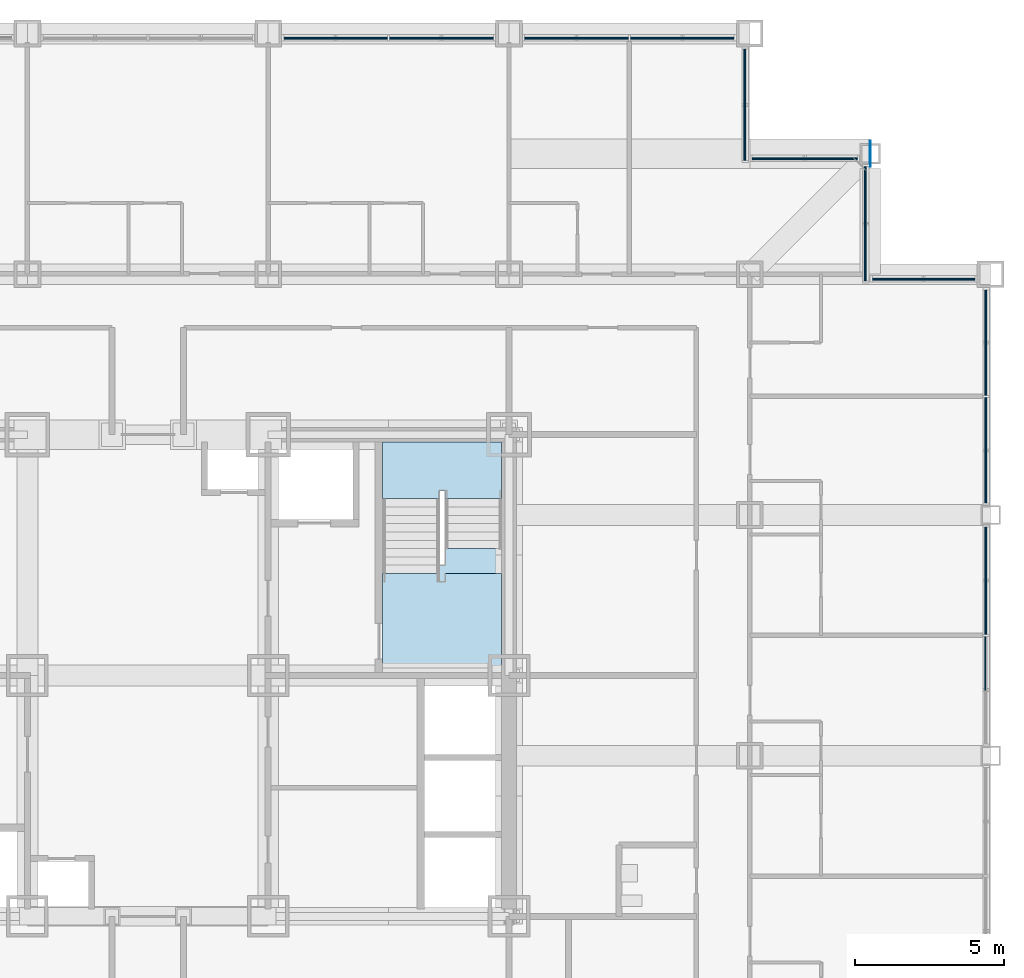
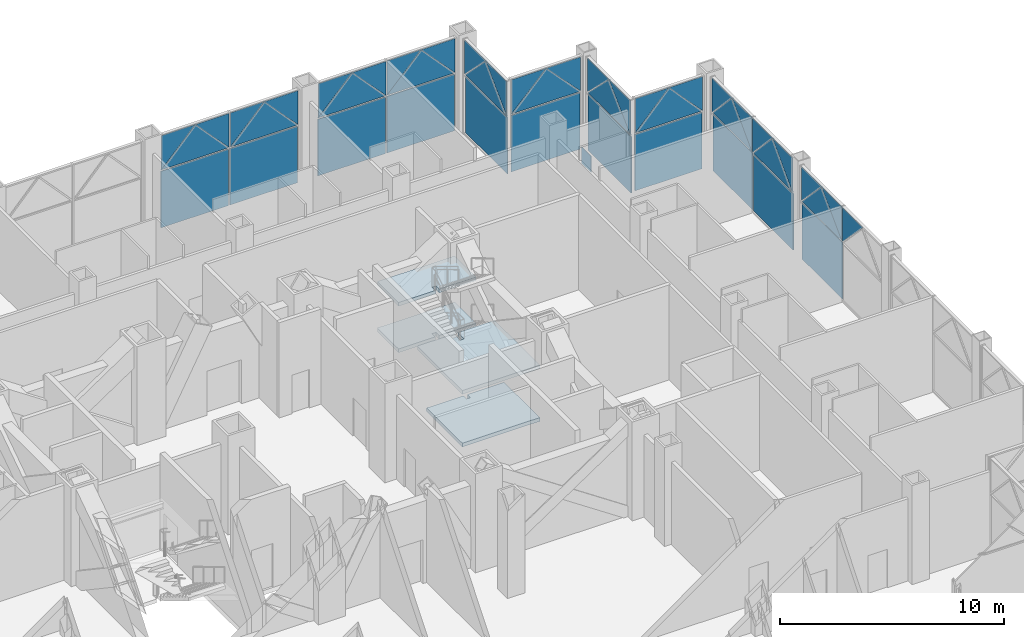
# One storey, part 14 of 26: 46 plates, 4 slabs, 9 elements without a shape of their own.
"""IFC4 building model written with IfcOpenShell, lengths in metres."""

import ifcopenshell
import ifcopenshell.guid

model = None  # the IFC model being written
_history = None  # IfcOwnerHistory: only IFC2X3 demands one
_inside = {}  # id of a spatial element -> (the spatial element, [elements in it])
_under = {}  # id of a project, library or spatial element -> (it, [spatial elements below it])
_declared = {}  # id of a project -> (the project, [libraries it declares])
_typed = {}  # id of a type object -> (the type object, [elements of that type])
_made_of = {}  # id of a material, layer set ... -> (it, [elements and type objects made of it])


def new_model(schema):
    """Start an empty IFC model of exactly this schema.

    Asked for "IFC4X3", IfcOpenShell would pick the latest addendum, in which some entities
    have other attributes; the version numbers below select the first issue.
    IFC2X3 requires an IfcOwnerHistory on every rooted entity: one is made here for all.
    """
    global model, _history
    if schema == "IFC4X3":
        model = ifcopenshell.file(schema_version=(4, 3, 0, 0))
    else:
        model = ifcopenshell.file(schema=schema)
    _inside.clear()
    _under.clear()
    _declared.clear()
    _typed.clear()
    _made_of.clear()
    _history = None
    if model.schema == "IFC2X3":
        org = make("IfcOrganization", Name="unknown")
        user = make(
            "IfcPersonAndOrganization",
            ThePerson=make("IfcPerson", FamilyName="unknown"),
            TheOrganization=org,
        )
        app = make(
            "IfcApplication",
            ApplicationDeveloper=org,
            Version="unknown",
            ApplicationFullName="unknown",
            ApplicationIdentifier="unknown",
        )
        _history = make(
            "IfcOwnerHistory",
            OwningUser=user,
            OwningApplication=app,
            ChangeAction="ADDED",
            CreationDate=0,
        )
    return model


def make(cls, **values):
    """One entity of the class cls with the attributes given. An attribute that is None is left unset."""
    return model.create_entity(
        cls, **{name: value for name, value in values.items() if value is not None}
    )


def rooted(cls, **values):
    """An entity with a GlobalId (a new one), such as an element, a storey or a relation."""
    return make(cls, GlobalId=ifcopenshell.guid.new(), OwnerHistory=_history, **values)


def si_unit(unit_type, name, prefix=None):
    """IfcSIUnit, for example si_unit("LENGTHUNIT", "METRE", prefix="MILLI")."""
    return make("IfcSIUnit", UnitType=unit_type, Prefix=prefix, Name=name)


def assignment(units):
    """IfcUnitAssignment: the units of a project."""
    return None if units is None else make("IfcUnitAssignment", Units=units)


def point(xyz):
    """IfcCartesianPoint."""
    return None if xyz is None else make("IfcCartesianPoint", Coordinates=xyz)


def direction(xyz):
    """IfcDirection."""
    return None if xyz is None else make("IfcDirection", DirectionRatios=xyz)


def frame(location, z_axis=None, x_axis=None):
    """IfcAxis2Placement3D, a coordinate frame: its origin and axes. An axis left out is left unset."""
    return make(
        "IfcAxis2Placement3D",
        Location=point(location),
        Axis=direction(z_axis),
        RefDirection=direction(x_axis),
    )


def frame_2d(location, x_axis=None):
    """IfcAxis2Placement2D, a coordinate frame in the plane: its origin and x axis."""
    return make(
        "IfcAxis2Placement2D", Location=point(location), RefDirection=direction(x_axis)
    )


def origin():
    """The frame at (0, 0, 0) with its axes left unset."""
    return frame((0.0, 0.0, 0.0))


def origin_2d():
    """The frame at (0, 0) in the plane with its x axis left unset."""
    return frame_2d((0.0, 0.0))


def place(relative_to, where):
    """IfcLocalPlacement: puts the frame where relative to a parent placement (None: the world)."""
    return make(
        "IfcLocalPlacement", PlacementRelTo=relative_to, RelativePlacement=where
    )


def context(
    kind, dimensions, precision=None, world=None, true_north=None, identifier=None
):
    """IfcGeometricRepresentationContext, for example the 3D "Model" context."""
    return make(
        "IfcGeometricRepresentationContext",
        ContextIdentifier=identifier,
        ContextType=kind,
        CoordinateSpaceDimension=dimensions,
        Precision=precision,
        WorldCoordinateSystem=world,
        TrueNorth=true_north,
    )


def subcontext(parent, identifier, kind, view, scale=None):
    """IfcGeometricRepresentationSubContext, for example "Body" below "Model"."""
    return make(
        "IfcGeometricRepresentationSubContext",
        ContextIdentifier=identifier,
        ContextType=kind,
        ParentContext=parent,
        TargetScale=scale,
        TargetView=view,
    )


def project(units=None, contexts=None):
    """IfcProject with its units and contexts."""
    return rooted(
        "IfcProject",
        Name="project",
        RepresentationContexts=contexts,
        UnitsInContext=assignment(units),
    )


def spatial(cls, under=None, at=None, **own):
    """A site, building, storey or space (cls), placed at a placement, below another one or the project."""
    s = rooted(cls, ObjectPlacement=at, **own)
    if under is not None:
        _under.setdefault(under.id(), (under, []))[1].append(s)
    return s


def polyline(points):
    """IfcPolyline through the points."""
    return make("IfcPolyline", Points=[point(p) for p in points])


def profile(cls, at=None, kind="AREA", **sizes):
    """A parametric profile (cls). Its sizes go by their IFC names, for example OverallWidth=200.0."""
    return make(cls, ProfileType=kind, Position=at, **sizes)


def rectangle(**sizes):
    """IfcRectangleProfileDef."""
    return profile("IfcRectangleProfileDef", **sizes)


def outline(outer, holes=None, kind="AREA"):
    """IfcArbitraryClosedProfileDef: a profile drawn as a closed curve; with holes, ...WithVoids."""
    if holes is None:
        return make("IfcArbitraryClosedProfileDef", ProfileType=kind, OuterCurve=outer)
    return make(
        "IfcArbitraryProfileDefWithVoids",
        ProfileType=kind,
        OuterCurve=outer,
        InnerCurves=holes,
    )


def extrude(swept, where, along, depth):
    """IfcExtrudedAreaSolid: the profile swept, set in the frame where, extruded along a direction by depth."""
    return make(
        "IfcExtrudedAreaSolid",
        SweptArea=swept,
        Position=where,
        ExtrudedDirection=direction(along),
        Depth=depth,
    )


def shape(context_of_items, identifier, shape_type, items):
    """IfcShapeRepresentation: the items that make up one representation, for example the "Body"."""
    return make(
        "IfcShapeRepresentation",
        ContextOfItems=context_of_items,
        RepresentationIdentifier=identifier,
        RepresentationType=shape_type,
        Items=items,
    )


def material(Name=None, Category=None):
    """IfcMaterial."""
    return make("IfcMaterial", Name=Name, Category=Category)


def layer(
    of_material, thickness, ventilated=None, Name=None, Category=None, Priority=None
):
    """IfcMaterialLayer: one layer of a wall or slab, of a material (None: an air gap)."""
    return make(
        "IfcMaterialLayer",
        Material=of_material,
        LayerThickness=thickness,
        IsVentilated=ventilated,
        Name=Name,
        Category=Category,
        Priority=Priority,
    )


def layer_set(layers, Name=None):
    """IfcMaterialLayerSet."""
    return make("IfcMaterialLayerSet", MaterialLayers=layers, LayerSetName=Name)


def made_of(thing, what):
    """Note that an element or type object is made of a material, layer set ...; save() writes the relation."""
    if what is not None:
        _made_of.setdefault(what.id(), (what, []))[1].append(thing)
    return thing


def type_object(cls, material=None, **own):
    """A type object (cls), such as IfcWallType, which elements share."""
    return made_of(rooted(cls, **own), material)


def element(
    cls,
    number,
    at=None,
    inside=None,
    cuts=None,
    type_object=None,
    material=None,
    context=None,
    identifier="Body",
    shape_type=None,
    held_by="IfcProductDefinitionShape",
    body=None,
    shapes=None,
    **own,
):
    """One element of the class cls, such as IfcWall. Its Tag is "e" and its number.

    at: its placement. inside: the storey or other place that contains it. cuts: it is an
    opening in that element (IfcRelVoidsElement). A single representation is given by context,
    identifier, shape_type and body (its items); several are given by shapes. held_by: the class
    of the entity that holds the representations. save() writes the other relations.
    """
    e = rooted(cls, Tag="e%d" % number, ObjectPlacement=at, **own)
    if body is not None:
        shapes = [shape(context, identifier, shape_type, body)]
    if shapes is not None:
        e.Representation = make(held_by, Representations=shapes)
    if inside is not None:
        _inside.setdefault(inside.id(), (inside, []))[1].append(e)
    if cuts is not None:
        rooted(
            "IfcRelVoidsElement", RelatingBuildingElement=cuts, RelatedOpeningElement=e
        )
    if type_object is not None:
        _typed.setdefault(type_object.id(), (type_object, []))[1].append(e)
    return made_of(e, material)


def aggregate(whole, parts):
    """IfcRelAggregates: a whole, such as a stair, and the parts it consists of."""
    return rooted("IfcRelAggregates", RelatingObject=whole, RelatedObjects=parts)


def save(model, path):
    """Write the relations noted so far, then the file.

    IfcRelAggregates (storeys below a building ...), IfcRelContainedInSpatialStructure (elements
    in a storey), IfcRelDefinesByType, IfcRelAssociatesMaterial and IfcRelDeclares: one each for
    every whole, place, type object, material and project.
    """
    for whole, parts in _under.values():
        aggregate(whole, parts)
    for where, things in _inside.values():
        rooted(
            "IfcRelContainedInSpatialStructure",
            RelatedElements=things,
            RelatingStructure=where,
        )
    for kind, things in _typed.values():
        rooted("IfcRelDefinesByType", RelatedObjects=things, RelatingType=kind)
    for what, things in _made_of.values():
        rooted("IfcRelAssociatesMaterial", RelatedObjects=things, RelatingMaterial=what)
    for by, libraries in _declared.values():
        rooted("IfcRelDeclares", RelatingContext=by, RelatedDefinitions=libraries)
    model.write(path)


model = new_model("IFC4")

# Units and contexts
model_context = context("Model", 3, precision=1e-05, world=origin(), true_north=direction((0.0, 1.0)))
body_context = subcontext(model_context, "Body", "Model", "MODEL_VIEW")
ifc_project = project(units=[si_unit("LENGTHUNIT", "METRE"), si_unit("AREAUNIT", "SQUARE_METRE"), si_unit("VOLUMEUNIT", "CUBIC_METRE"), si_unit("PLANEANGLEUNIT", "RADIAN"), si_unit("MASSUNIT", "GRAM", prefix="KILO")], contexts=[model_context])

# Site, building, storey
site_placement = place(None, origin())
site = spatial("IfcSite", under=ifc_project, at=site_placement, CompositionType="ELEMENT")
building_placement = place(site_placement, origin())
building = spatial("IfcBuilding", under=site, at=building_placement, Name="Kopane Lantern Tower", CompositionType="ELEMENT")
storey_placement = place(building_placement, frame((0.0, 0.0, 98.0)))
storey = spatial("IfcBuildingStorey", under=building, at=storey_placement, Name="L24", CompositionType="ELEMENT", Elevation=98.0)

# Curtain wall, plates
ifc_material_1 = material(Name="Aluminium and clear glass", Category="aluminium")
curtain_wall_type = type_object("IfcCurtainWallType", Name="CURTAIN WALL CW3 SKY LOBBY", PredefinedType="USERDEFINED", material=ifc_material_1)
curtain_wall_1_placement = place(storey_placement, origin())
curtain_wall_1 = element("IfcCurtainWall", 1, at=curtain_wall_1_placement, inside=storey, type_object=curtain_wall_type, Name="Curtain wall CW3 E L24", ObjectType="CURTAIN WALL", PredefinedType="USERDEFINED")
ifc_material_2 = material(Name="Insulated clear glass unit", Category="glass")
ifc_layer_1 = layer(ifc_material_2, 0.033935546875)
ifc_layer_set_1 = layer_set([ifc_layer_1], Name="CURTAIN PANEL CW3-P 34")
plate_type_1 = type_object("IfcPlateType", Name="CURTAIN PANEL CW3-P 34", PredefinedType="CURTAIN_PANEL", material=ifc_layer_set_1)
plate_1_placement = place(storey_placement, frame((56.550048828125, 35.592529296875, 0.070068359375), z_axis=(0.0, 0.0, 1.0), x_axis=(0.0, 1.0, 0.0)))
plate_1 = element("IfcPlate", 2, at=plate_1_placement, type_object=plate_type_1, Name="CW3 panel 2.1", PredefinedType="CURTAIN_PANEL", context=body_context, shape_type="SweptSolid", body=[
    extrude(rectangle(XDim=3.614990234375, YDim=0.033935546875, at=origin_2d()), origin(), (0.0, 0.0, 1.0), 3.0849609375),
])
plate_2_placement = place(storey_placement, frame((56.513916015625, 33.715087890625, 5.1201171875), z_axis=(0.0, 0.0, 1.0), x_axis=(0.0, -1.0, 0.0)))
plate_2 = element("IfcPlate", 3, at=plate_2_placement, type_object=plate_type_1, Name="CW3 spandrel panel 1R", PredefinedType="CURTAIN_PANEL", context=body_context, shape_type="SweptSolid", body=[
    extrude(outline(polyline([(0.0, 0.0), (1.8076171875, 0.0), (1.8076171875, -0.001220703125), (0.0, -1.846923828125), (0.0, 0.0)])), frame((0.0, 0.01708984375, 0.0), z_axis=(0.0, -1.0, 0.0), x_axis=(1.0, 0.0, 0.0)), (0.0, 0.0, 1.0), 0.033935546875),
])
plate_3_placement = place(storey_placement, frame((56.550048828125, 33.784912109375, 3.22509765625), z_axis=(0.0, 0.0, 1.0), x_axis=(0.0, 1.0, 0.0)))
plate_3 = element("IfcPlate", 4, at=plate_3_placement, type_object=plate_type_1, Name="CW3 lancet panel 2", PredefinedType="CURTAIN_PANEL", context=body_context, shape_type="SweptSolid", body=[
    extrude(outline(polyline([(0.0, 0.0), (3.614990234375, 0.0), (3.614990234375, 0.0009765625), (1.8076171875, 1.89990234375), (0.0, 0.0009765625), (0.0, 0.0)])), frame((0.0, 0.01708984375, 0.0), z_axis=(0.0, -1.0, 0.0), x_axis=(1.0, 0.0, 0.0)), (0.0, 0.0, 1.0), 0.033935546875),
])
plate_4_placement = place(storey_placement, frame((56.513916015625, 33.784912109375, 5.1201171875), z_axis=(0.0, 0.0, 1.0), x_axis=(0.0, 1.0, 0.0)))
plate_4 = element("IfcPlate", 5, at=plate_4_placement, type_object=plate_type_1, Name="CW3 spandrel panel 2L", PredefinedType="CURTAIN_PANEL", context=body_context, shape_type="SweptSolid", body=[
    extrude(outline(polyline([(0.0, 0.0), (1.8076171875, 0.0), (1.8076171875, -0.001220703125), (0.0, -1.846923828125), (0.0, 0.0)])), frame((0.0, 0.01708984375, 0.0), z_axis=(0.0, -1.0, 0.0), x_axis=(1.0, 0.0, 0.0)), (0.0, 0.0, 1.0), 0.033935546875),
])
plate_5_placement = place(storey_placement, frame((56.513916015625, 37.39990234375, 5.1201171875), z_axis=(0.0, 0.0, 1.0), x_axis=(0.0, -1.0, 0.0)))
plate_5 = element("IfcPlate", 6, at=plate_5_placement, type_object=plate_type_1, Name="CW3 spandrel panel 2R", PredefinedType="CURTAIN_PANEL", context=body_context, shape_type="SweptSolid", body=[
    extrude(outline(polyline([(0.0, 0.0), (1.807373046875, 0.0), (1.8076171875, -0.001220703125), (0.0, -1.846923828125), (0.0, 0.0)])), frame((0.0, 0.01708984375, 0.0), z_axis=(0.0, -1.0, 0.0), x_axis=(1.0, 0.0, 0.0)), (0.0, 0.0, 1.0), 0.033935546875),
])
aggregate(curtain_wall_1, [plate_1, plate_2, plate_3, plate_4, plate_5])

curtain_wall_2_placement = place(storey_placement, origin())
curtain_wall_2 = element("IfcCurtainWall", 7, at=curtain_wall_2_placement, inside=storey, type_object=curtain_wall_type, Name="Curtain wall CW3 E L24", ObjectType="CURTAIN WALL", PredefinedType="USERDEFINED")
plate_6_placement = place(storey_placement, frame((56.550048828125, 39.976318359375, 0.070068359375), z_axis=(0.0, 0.0, 1.0), x_axis=(0.0, 1.0, 0.0)))
plate_6 = element("IfcPlate", 8, at=plate_6_placement, type_object=plate_type_1, Name="CW3 panel 1.1", PredefinedType="CURTAIN_PANEL", context=body_context, shape_type="SweptSolid", body=[
    extrude(rectangle(XDim=3.552490234375, YDim=0.033935546875, at=origin_2d()), origin(), (0.0, 0.0, 1.0), 3.0849609375),
])
plate_7_placement = place(storey_placement, frame((56.550048828125, 43.5986328125, 0.070068359375), z_axis=(0.0, 0.0, 1.0), x_axis=(0.0, 1.0, 0.0)))
plate_7 = element("IfcPlate", 9, at=plate_7_placement, type_object=plate_type_1, Name="CW3 panel 2.1", PredefinedType="CURTAIN_PANEL", context=body_context, shape_type="SweptSolid", body=[
    extrude(rectangle(XDim=3.552490234375, YDim=0.033935546875, at=origin_2d()), origin(), (0.0, 0.0, 1.0), 3.0849609375),
])
plate_8_placement = place(storey_placement, frame((56.550048828125, 38.199951171875, 3.22509765625), z_axis=(0.0, 0.0, 1.0), x_axis=(0.0, 1.0, 0.0)))
plate_8 = element("IfcPlate", 10, at=plate_8_placement, type_object=plate_type_1, Name="CW3 lancet panel 1", PredefinedType="CURTAIN_PANEL", context=body_context, shape_type="SweptSolid", body=[
    extrude(outline(polyline([(0.0, 0.0), (3.552490234375, 0.0), (3.552490234375, 0.0009765625), (1.776123046875, 1.90185546875), (0.0, 0.0009765625), (0.0, 0.0)])), frame((0.0, 0.01708984375, 0.0), z_axis=(0.0, -1.0, 0.0), x_axis=(1.0, 0.0, 0.0)), (0.0, 0.0, 1.0), 0.033935546875),
])
plate_9_placement = place(storey_placement, frame((56.513916015625, 38.199951171875, 5.1201171875), z_axis=(0.0, 0.0, 1.0), x_axis=(0.0, 1.0, 0.0)))
plate_9 = element("IfcPlate", 11, at=plate_9_placement, type_object=plate_type_1, Name="CW3 spandrel panel 1L", PredefinedType="CURTAIN_PANEL", context=body_context, shape_type="SweptSolid", body=[
    extrude(outline(polyline([(0.0, 0.0), (1.7763671875, 0.0), (1.776123046875, -0.001220703125), (0.0, -1.847412109375), (0.0, 0.0)])), frame((0.0, 0.01708984375, 0.0), z_axis=(0.0, -1.0, 0.0), x_axis=(1.0, 0.0, 0.0)), (0.0, 0.0, 1.0), 0.033935546875),
])
plate_10_placement = place(storey_placement, frame((56.513916015625, 41.75244140625, 5.1201171875), z_axis=(0.0, 0.0, 1.0), x_axis=(0.0, -1.0, 0.0)))
plate_10 = element("IfcPlate", 12, at=plate_10_placement, type_object=plate_type_1, Name="CW3 spandrel panel 1R", PredefinedType="CURTAIN_PANEL", context=body_context, shape_type="SweptSolid", body=[
    extrude(outline(polyline([(0.0, 0.0), (1.776123046875, 0.0), (1.776123046875, -0.001220703125), (0.0, -1.847412109375), (0.0, 0.0)])), frame((0.0, 0.01708984375, 0.0), z_axis=(0.0, -1.0, 0.0), x_axis=(1.0, 0.0, 0.0)), (0.0, 0.0, 1.0), 0.033935546875),
])
plate_11_placement = place(storey_placement, frame((56.550048828125, 41.822509765625, 3.22509765625), z_axis=(0.0, 0.0, 1.0), x_axis=(0.0, 1.0, 0.0)))
plate_11 = element("IfcPlate", 13, at=plate_11_placement, type_object=plate_type_1, Name="CW3 lancet panel 2", PredefinedType="CURTAIN_PANEL", context=body_context, shape_type="SweptSolid", body=[
    extrude(outline(polyline([(0.0, 0.0), (3.552490234375, 0.0), (3.552490234375, 0.0009765625), (1.776123046875, 1.90185546875), (0.0, 0.0009765625), (0.0, 0.0)])), frame((0.0, 0.01708984375, 0.0), z_axis=(0.0, -1.0, 0.0), x_axis=(1.0, 0.0, 0.0)), (0.0, 0.0, 1.0), 0.033935546875),
])
plate_12_placement = place(storey_placement, frame((56.513916015625, 41.822509765625, 5.1201171875), z_axis=(0.0, 0.0, 1.0), x_axis=(0.0, 1.0, 0.0)))
plate_12 = element("IfcPlate", 14, at=plate_12_placement, type_object=plate_type_1, Name="CW3 spandrel panel 2L", PredefinedType="CURTAIN_PANEL", context=body_context, shape_type="SweptSolid", body=[
    extrude(outline(polyline([(0.0, 0.0), (1.7763671875, 0.0), (1.776123046875, -0.001220703125), (0.0, -1.847412109375), (0.0, 0.0)])), frame((0.0, 0.01708984375, 0.0), z_axis=(0.0, -1.0, 0.0), x_axis=(1.0, 0.0, 0.0)), (0.0, 0.0, 1.0), 0.033935546875),
])
plate_13_placement = place(storey_placement, frame((56.513916015625, 45.375, 5.1201171875), z_axis=(0.0, 0.0, 1.0), x_axis=(0.0, -1.0, 0.0)))
plate_13 = element("IfcPlate", 15, at=plate_13_placement, type_object=plate_type_1, Name="CW3 spandrel panel 2R", PredefinedType="CURTAIN_PANEL", context=body_context, shape_type="SweptSolid", body=[
    extrude(outline(polyline([(0.0, 0.0), (1.776123046875, 0.0), (1.776123046875, -0.001220703125), (0.0, -1.847412109375), (0.0, 0.0)])), frame((0.0, 0.01708984375, 0.0), z_axis=(0.0, -1.0, 0.0), x_axis=(1.0, 0.0, 0.0)), (0.0, 0.0, 1.0), 0.033935546875),
])
aggregate(curtain_wall_2, [plate_6, plate_7, plate_8, plate_9, plate_10, plate_11, plate_12, plate_13])

curtain_wall_3_placement = place(storey_placement, origin())
curtain_wall_3 = element("IfcCurtainWall", 16, at=curtain_wall_3_placement, inside=storey, type_object=curtain_wall_type, Name="Curtain wall CW3 N L24", ObjectType="CURTAIN WALL", PredefinedType="USERDEFINED")
plate_14_placement = place(storey_placement, frame((54.447509765625, 45.75, 0.070068359375), z_axis=(0.0, 0.0, 1.0), x_axis=(-1.0, 0.0, 0.0)))
plate_14 = element("IfcPlate", 17, at=plate_14_placement, type_object=plate_type_1, Name="CW3 panel 1.1", PredefinedType="CURTAIN_PANEL", context=body_context, shape_type="SweptSolid", body=[
    extrude(rectangle(XDim=3.455078125, YDim=0.033935546875, at=origin_2d()), origin(), (0.0, 0.0, 1.0), 3.0849609375),
])
plate_15_placement = place(storey_placement, frame((56.175048828125, 45.75, 3.22509765625), z_axis=(0.0, 0.0, 1.0), x_axis=(-1.0, 0.0, 0.0)))
plate_15 = element("IfcPlate", 18, at=plate_15_placement, type_object=plate_type_1, Name="CW3 lancet panel 1", PredefinedType="CURTAIN_PANEL", context=body_context, shape_type="SweptSolid", body=[
    extrude(outline(polyline([(0.0, 0.0), (3.455078125, 0.0), (3.455078125, 0.0009765625), (1.7275390625, 1.905029296875), (0.0, 0.0009765625), (0.0, 0.0)])), frame((0.0, 0.01708984375, 0.0), z_axis=(0.0, -1.0, 0.0), x_axis=(1.0, 0.0, 0.0)), (0.0, 0.0, 1.0), 0.033935546875),
])
plate_16_placement = place(storey_placement, frame((56.175048828125, 45.714111328125, 5.1201171875), z_axis=(0.0, 0.0, 1.0), x_axis=(-1.0, 0.0, 0.0)))
plate_16 = element("IfcPlate", 19, at=plate_16_placement, type_object=plate_type_1, Name="CW3 spandrel panel 1L", PredefinedType="CURTAIN_PANEL", context=body_context, shape_type="SweptSolid", body=[
    extrude(outline(polyline([(0.0, 0.0), (1.7275390625, 0.0), (1.7275390625, -0.001220703125), (0.0, -1.84814453125), (0.0, 0.0)])), frame((0.0, 0.01708984375, 0.0), z_axis=(0.0, -1.0, 0.0), x_axis=(1.0, 0.0, 0.0)), (0.0, 0.0, 1.0), 0.033935546875),
])
plate_17_placement = place(storey_placement, frame((52.719970703125, 45.714111328125, 5.1201171875), z_axis=(0.0, 0.0, 1.0), x_axis=(1.0, 0.0, 0.0)))
plate_17 = element("IfcPlate", 20, at=plate_17_placement, type_object=plate_type_1, Name="CW3 spandrel panel 1R", PredefinedType="CURTAIN_PANEL", context=body_context, shape_type="SweptSolid", body=[
    extrude(outline(polyline([(0.0, 0.0), (1.7275390625, 0.0), (1.7275390625, -0.001220703125), (0.0, -1.84814453125), (0.0, 0.0)])), frame((0.0, 0.01708984375, 0.0), z_axis=(0.0, -1.0, 0.0), x_axis=(1.0, 0.0, 0.0)), (0.0, 0.0, 1.0), 0.033935546875),
])
aggregate(curtain_wall_3, [plate_14, plate_15, plate_16, plate_17])

curtain_wall_4_placement = place(storey_placement, origin())
curtain_wall_4 = element("IfcCurtainWall", 21, at=curtain_wall_4_placement, inside=storey, type_object=curtain_wall_type, Name="Curtain wall CW3 E L24", ObjectType="CURTAIN WALL", PredefinedType="USERDEFINED")
plate_18_placement = place(storey_placement, frame((52.5, 47.597412109375, 0.070068359375), z_axis=(0.0, 0.0, 1.0), x_axis=(0.0, 1.0, 0.0)))
plate_18 = element("IfcPlate", 22, at=plate_18_placement, type_object=plate_type_1, Name="CW3 panel 1.1", PredefinedType="CURTAIN_PANEL", context=body_context, shape_type="SweptSolid", body=[
    extrude(rectangle(XDim=3.85498046875, YDim=0.033935546875, at=origin_2d()), origin(), (0.0, 0.0, 1.0), 3.0849609375),
])
plate_19_placement = place(storey_placement, frame((52.5, 45.669921875, 3.22509765625), z_axis=(0.0, 0.0, 1.0), x_axis=(0.0, 1.0, 0.0)))
plate_19 = element("IfcPlate", 23, at=plate_19_placement, type_object=plate_type_1, Name="CW3 lancet panel 1", PredefinedType="CURTAIN_PANEL", context=body_context, shape_type="SweptSolid", body=[
    extrude(outline(polyline([(0.0, 0.0), (3.85498046875, 0.0), (3.85498046875, 0.0009765625), (1.927490234375, 1.89306640625), (0.0, 0.0009765625), (0.0, 0.0)])), frame((0.0, 0.01708984375, 0.0), z_axis=(0.0, -1.0, 0.0), x_axis=(1.0, 0.0, 0.0)), (0.0, 0.0, 1.0), 0.033935546875),
])
plate_20_placement = place(storey_placement, frame((52.464111328125, 45.669921875, 5.1201171875), z_axis=(0.0, 0.0, 1.0), x_axis=(0.0, 1.0, 0.0)))
plate_20 = element("IfcPlate", 24, at=plate_20_placement, type_object=plate_type_1, Name="CW3 spandrel panel 1L", PredefinedType="CURTAIN_PANEL", context=body_context, shape_type="SweptSolid", body=[
    extrude(outline(polyline([(0.0, 0.0), (1.927490234375, 0.0), (1.927490234375, -0.001220703125), (0.0, -1.84521484375), (0.0, 0.0)])), frame((0.0, 0.01708984375, 0.0), z_axis=(0.0, -1.0, 0.0), x_axis=(1.0, 0.0, 0.0)), (0.0, 0.0, 1.0), 0.033935546875),
])
plate_21_placement = place(storey_placement, frame((52.464111328125, 49.52490234375, 5.1201171875), z_axis=(0.0, 0.0, 1.0), x_axis=(0.0, -1.0, 0.0)))
plate_21 = element("IfcPlate", 25, at=plate_21_placement, type_object=plate_type_1, Name="CW3 spandrel panel 1R", PredefinedType="CURTAIN_PANEL", context=body_context, shape_type="SweptSolid", body=[
    extrude(outline(polyline([(0.0, 0.0), (1.927490234375, 0.0), (1.927490234375, -0.001220703125), (0.0, -1.84521484375), (0.0, 0.0)])), frame((0.0, 0.01708984375, 0.0), z_axis=(0.0, -1.0, 0.0), x_axis=(1.0, 0.0, 0.0)), (0.0, 0.0, 1.0), 0.033935546875),
])
aggregate(curtain_wall_4, [plate_18, plate_19, plate_20, plate_21])

curtain_wall_5_placement = place(storey_placement, origin())
curtain_wall_5 = element("IfcCurtainWall", 26, at=curtain_wall_5_placement, inside=storey, type_object=curtain_wall_type, Name="Curtain wall CW3 N L24", ObjectType="CURTAIN WALL", PredefinedType="USERDEFINED")
plate_22_placement = place(storey_placement, frame((50.447509765625, 49.800048828125, 0.070068359375), z_axis=(0.0, 0.0, 1.0), x_axis=(-1.0, 0.0, 0.0)))
plate_22 = element("IfcPlate", 27, at=plate_22_placement, type_object=plate_type_1, Name="CW3 panel 1.1", PredefinedType="CURTAIN_PANEL", context=body_context, shape_type="SweptSolid", body=[
    extrude(rectangle(XDim=3.554931640625, YDim=0.033935546875, at=origin_2d()), origin(), (0.0, 0.0, 1.0), 3.0849609375),
])
plate_23_placement = place(storey_placement, frame((52.22509765625, 49.800048828125, 3.22509765625), z_axis=(0.0, 0.0, 1.0), x_axis=(-1.0, 0.0, 0.0)))
plate_23 = element("IfcPlate", 28, at=plate_23_placement, type_object=plate_type_1, Name="CW3 lancet panel 1", PredefinedType="CURTAIN_PANEL", context=body_context, shape_type="SweptSolid", body=[
    extrude(outline(polyline([(0.0, 0.0), (3.55517578125, 0.0), (3.554931640625, 0.0009765625), (1.777587890625, 1.90185546875), (0.0, 0.0009765625), (0.0, 0.0)])), frame((0.0, 0.01708984375, 0.0), z_axis=(0.0, -1.0, 0.0), x_axis=(1.0, 0.0, 0.0)), (0.0, 0.0, 1.0), 0.033935546875),
])
plate_24_placement = place(storey_placement, frame((52.22509765625, 49.763916015625, 5.1201171875), z_axis=(0.0, 0.0, 1.0), x_axis=(-1.0, 0.0, 0.0)))
plate_24 = element("IfcPlate", 29, at=plate_24_placement, type_object=plate_type_1, Name="CW3 spandrel panel 1L", PredefinedType="CURTAIN_PANEL", context=body_context, shape_type="SweptSolid", body=[
    extrude(outline(polyline([(0.0, 0.0), (1.777587890625, 0.0), (1.777587890625, -0.001220703125), (0.0, -1.847412109375), (0.0, 0.0)])), frame((0.0, 0.01708984375, 0.0), z_axis=(0.0, -1.0, 0.0), x_axis=(1.0, 0.0, 0.0)), (0.0, 0.0, 1.0), 0.033935546875),
])
plate_25_placement = place(storey_placement, frame((48.669921875, 49.763916015625, 5.1201171875), z_axis=(0.0, 0.0, 1.0), x_axis=(1.0, 0.0, 0.0)))
plate_25 = element("IfcPlate", 30, at=plate_25_placement, type_object=plate_type_1, Name="CW3 spandrel panel 1R", PredefinedType="CURTAIN_PANEL", context=body_context, shape_type="SweptSolid", body=[
    extrude(outline(polyline([(0.0, 0.0), (1.777587890625, 0.0), (1.777587890625, -0.001220703125), (0.0, -1.847412109375), (0.0, 0.0)])), frame((0.0, 0.01708984375, 0.0), z_axis=(0.0, -1.0, 0.0), x_axis=(1.0, 0.0, 0.0)), (0.0, 0.0, 1.0), 0.033935546875),
])
aggregate(curtain_wall_5, [plate_22, plate_23, plate_24, plate_25])

curtain_wall_6_placement = place(storey_placement, origin())
curtain_wall_6 = element("IfcCurtainWall", 31, at=curtain_wall_6_placement, inside=storey, type_object=curtain_wall_type, Name="Curtain wall CW3 E L24", ObjectType="CURTAIN WALL", PredefinedType="USERDEFINED")
plate_26_placement = place(storey_placement, frame((48.449951171875, 51.597412109375, 0.070068359375), z_axis=(0.0, 0.0, 1.0), x_axis=(0.0, 1.0, 0.0)))
plate_26 = element("IfcPlate", 32, at=plate_26_placement, type_object=plate_type_1, Name="CW3 panel 1.1", PredefinedType="CURTAIN_PANEL", context=body_context, shape_type="SweptSolid", body=[
    extrude(rectangle(XDim=3.7548828125, YDim=0.033935546875, at=origin_2d()), origin(), (0.0, 0.0, 1.0), 3.0849609375),
])
plate_27_placement = place(storey_placement, frame((48.449951171875, 49.719970703125, 3.22509765625), z_axis=(0.0, 0.0, 1.0), x_axis=(0.0, 1.0, 0.0)))
plate_27 = element("IfcPlate", 33, at=plate_27_placement, type_object=plate_type_1, Name="CW3 lancet panel 1", PredefinedType="CURTAIN_PANEL", context=body_context, shape_type="SweptSolid", body=[
    extrude(outline(polyline([(0.0, 0.0), (3.755126953125, 0.0), (3.7548828125, 0.0009765625), (1.87744140625, 1.89599609375), (0.0, 0.0009765625), (0.0, 0.0)])), frame((0.0, 0.01708984375, 0.0), z_axis=(0.0, -1.0, 0.0), x_axis=(1.0, 0.0, 0.0)), (0.0, 0.0, 1.0), 0.033935546875),
])
plate_28_placement = place(storey_placement, frame((48.4140625, 49.719970703125, 5.1201171875), z_axis=(0.0, 0.0, 1.0), x_axis=(0.0, 1.0, 0.0)))
plate_28 = element("IfcPlate", 34, at=plate_28_placement, type_object=plate_type_1, Name="CW3 spandrel panel 1L", PredefinedType="CURTAIN_PANEL", context=body_context, shape_type="SweptSolid", body=[
    extrude(outline(polyline([(0.0, 0.0), (1.87744140625, 0.0), (1.87744140625, -0.001220703125), (0.0, -1.845703125), (0.0, 0.0)])), frame((0.0, 0.01708984375, 0.0), z_axis=(0.0, -1.0, 0.0), x_axis=(1.0, 0.0, 0.0)), (0.0, 0.0, 1.0), 0.033935546875),
])
plate_29_placement = place(storey_placement, frame((48.4140625, 53.47509765625, 5.1201171875), z_axis=(0.0, 0.0, 1.0), x_axis=(0.0, -1.0, 0.0)))
plate_29 = element("IfcPlate", 35, at=plate_29_placement, type_object=plate_type_1, Name="CW3 spandrel panel 1R", PredefinedType="CURTAIN_PANEL", context=body_context, shape_type="SweptSolid", body=[
    extrude(outline(polyline([(0.0, 0.0), (1.877685546875, 0.0), (1.87744140625, -0.001220703125), (0.0, -1.845703125), (0.0, 0.0)])), frame((0.0, 0.01708984375, 0.0), z_axis=(0.0, -1.0, 0.0), x_axis=(1.0, 0.0, 0.0)), (0.0, 0.0, 1.0), 0.033935546875),
])
aggregate(curtain_wall_6, [plate_26, plate_27, plate_28, plate_29])

curtain_wall_7_placement = place(storey_placement, origin())
curtain_wall_7 = element("IfcCurtainWall", 36, at=curtain_wall_7_placement, inside=storey, type_object=curtain_wall_type, Name="Curtain wall CW3 N L24", ObjectType="CURTAIN WALL", PredefinedType="USERDEFINED")
plate_30_placement = place(storey_placement, frame((46.330078125, 53.85009765625, 0.070068359375), z_axis=(0.0, 0.0, 1.0), x_axis=(-1.0, 0.0, 0.0)))
plate_30 = element("IfcPlate", 37, at=plate_30_placement, type_object=plate_type_1, Name="CW3 panel 1.1", PredefinedType="CURTAIN_PANEL", context=body_context, shape_type="SweptSolid", body=[
    extrude(rectangle(XDim=3.489990234375, YDim=0.033935546875, at=origin_2d()), origin(), (0.0, 0.0, 1.0), 3.0849609375),
])
plate_31_placement = place(storey_placement, frame((42.77001953125, 53.85009765625, 0.070068359375), z_axis=(0.0, 0.0, 1.0), x_axis=(-1.0, 0.0, 0.0)))
plate_31 = element("IfcPlate", 38, at=plate_31_placement, type_object=plate_type_1, Name="CW3 panel 2.1", PredefinedType="CURTAIN_PANEL", context=body_context, shape_type="SweptSolid", body=[
    extrude(rectangle(XDim=3.489990234375, YDim=0.033935546875, at=origin_2d()), origin(), (0.0, 0.0, 1.0), 3.0849609375),
])
plate_32_placement = place(storey_placement, frame((48.074951171875, 53.85009765625, 3.22509765625), z_axis=(0.0, 0.0, 1.0), x_axis=(-1.0, 0.0, 0.0)))
plate_32 = element("IfcPlate", 39, at=plate_32_placement, type_object=plate_type_1, Name="CW3 lancet panel 1", PredefinedType="CURTAIN_PANEL", context=body_context, shape_type="SweptSolid", body=[
    extrude(outline(polyline([(0.0, 0.0), (3.489990234375, 0.0), (3.489990234375, 0.0009765625), (1.7451171875, 1.90380859375), (0.0, 0.0009765625), (0.0, 0.0)])), frame((0.0, 0.01708984375, 0.0), z_axis=(0.0, -1.0, 0.0), x_axis=(1.0, 0.0, 0.0)), (0.0, 0.0, 1.0), 0.033935546875),
])
plate_33_placement = place(storey_placement, frame((48.074951171875, 53.81396484375, 5.1201171875), z_axis=(0.0, 0.0, 1.0), x_axis=(-1.0, 0.0, 0.0)))
plate_33 = element("IfcPlate", 40, at=plate_33_placement, type_object=plate_type_1, Name="CW3 spandrel panel 1L", PredefinedType="CURTAIN_PANEL", context=body_context, shape_type="SweptSolid", body=[
    extrude(outline(polyline([(0.0, 0.0), (1.744873046875, 0.0), (1.7451171875, -0.001220703125), (0.0, -1.847900390625), (0.0, 0.0)])), frame((0.0, 0.01708984375, 0.0), z_axis=(0.0, -1.0, 0.0), x_axis=(1.0, 0.0, 0.0)), (0.0, 0.0, 1.0), 0.033935546875),
])
plate_34_placement = place(storey_placement, frame((44.5849609375, 53.81396484375, 5.1201171875), z_axis=(0.0, 0.0, 1.0), x_axis=(1.0, 0.0, 0.0)))
plate_34 = element("IfcPlate", 41, at=plate_34_placement, type_object=plate_type_1, Name="CW3 spandrel panel 1R", PredefinedType="CURTAIN_PANEL", context=body_context, shape_type="SweptSolid", body=[
    extrude(outline(polyline([(0.0, 0.0), (1.7451171875, 0.0), (1.7451171875, -0.001220703125), (0.0, -1.847900390625), (0.0, 0.0)])), frame((0.0, 0.01708984375, 0.0), z_axis=(0.0, -1.0, 0.0), x_axis=(1.0, 0.0, 0.0)), (0.0, 0.0, 1.0), 0.033935546875),
])
plate_35_placement = place(storey_placement, frame((44.514892578125, 53.85009765625, 3.22509765625), z_axis=(0.0, 0.0, 1.0), x_axis=(-1.0, 0.0, 0.0)))
plate_35 = element("IfcPlate", 42, at=plate_35_placement, type_object=plate_type_1, Name="CW3 lancet panel 2", PredefinedType="CURTAIN_PANEL", context=body_context, shape_type="SweptSolid", body=[
    extrude(outline(polyline([(0.0, 0.0), (3.489990234375, 0.0), (3.489990234375, 0.0009765625), (1.7451171875, 1.90380859375), (0.0, 0.0009765625), (0.0, 0.0)])), frame((0.0, 0.01708984375, 0.0), z_axis=(0.0, -1.0, 0.0), x_axis=(1.0, 0.0, 0.0)), (0.0, 0.0, 1.0), 0.033935546875),
])
plate_36_placement = place(storey_placement, frame((44.514892578125, 53.81396484375, 5.1201171875), z_axis=(0.0, 0.0, 1.0), x_axis=(-1.0, 0.0, 0.0)))
plate_36 = element("IfcPlate", 43, at=plate_36_placement, type_object=plate_type_1, Name="CW3 spandrel panel 2L", PredefinedType="CURTAIN_PANEL", context=body_context, shape_type="SweptSolid", body=[
    extrude(outline(polyline([(0.0, 0.0), (1.744873046875, 0.0), (1.7451171875, -0.001220703125), (0.0, -1.847900390625), (0.0, 0.0)])), frame((0.0, 0.01708984375, 0.0), z_axis=(0.0, -1.0, 0.0), x_axis=(1.0, 0.0, 0.0)), (0.0, 0.0, 1.0), 0.033935546875),
])
plate_37_placement = place(storey_placement, frame((41.02490234375, 53.81396484375, 5.1201171875), z_axis=(0.0, 0.0, 1.0), x_axis=(1.0, 0.0, 0.0)))
plate_37 = element("IfcPlate", 44, at=plate_37_placement, type_object=plate_type_1, Name="CW3 spandrel panel 2R", PredefinedType="CURTAIN_PANEL", context=body_context, shape_type="SweptSolid", body=[
    extrude(outline(polyline([(0.0, 0.0), (1.7451171875, 0.0), (1.7451171875, -0.001220703125), (0.0, -1.847900390625), (0.0, 0.0)])), frame((0.0, 0.01708984375, 0.0), z_axis=(0.0, -1.0, 0.0), x_axis=(1.0, 0.0, 0.0)), (0.0, 0.0, 1.0), 0.033935546875),
])
aggregate(curtain_wall_7, [plate_30, plate_31, plate_32, plate_33, plate_34, plate_35, plate_36, plate_37])

curtain_wall_8_placement = place(storey_placement, origin())
curtain_wall_8 = element("IfcCurtainWall", 45, at=curtain_wall_8_placement, inside=storey, type_object=curtain_wall_type, Name="Curtain wall CW3 N L24", ObjectType="CURTAIN WALL", PredefinedType="USERDEFINED")
plate_38_placement = place(storey_placement, frame((38.22998046875, 53.85009765625, 0.070068359375), z_axis=(0.0, 0.0, 1.0), x_axis=(-1.0, 0.0, 0.0)))
plate_38 = element("IfcPlate", 46, at=plate_38_placement, type_object=plate_type_1, Name="CW3 panel 1.1", PredefinedType="CURTAIN_PANEL", context=body_context, shape_type="SweptSolid", body=[
    extrude(rectangle(XDim=3.489990234375, YDim=0.033935546875, at=origin_2d()), origin(), (0.0, 0.0, 1.0), 3.0849609375),
])
plate_39_placement = place(storey_placement, frame((34.669921875, 53.85009765625, 0.070068359375), z_axis=(0.0, 0.0, 1.0), x_axis=(-1.0, 0.0, 0.0)))
plate_39 = element("IfcPlate", 47, at=plate_39_placement, type_object=plate_type_1, Name="CW3 panel 2.1", PredefinedType="CURTAIN_PANEL", context=body_context, shape_type="SweptSolid", body=[
    extrude(rectangle(XDim=3.489990234375, YDim=0.033935546875, at=origin_2d()), origin(), (0.0, 0.0, 1.0), 3.0849609375),
])
plate_40_placement = place(storey_placement, frame((39.97509765625, 53.85009765625, 3.22509765625), z_axis=(0.0, 0.0, 1.0), x_axis=(-1.0, 0.0, 0.0)))
plate_40 = element("IfcPlate", 48, at=plate_40_placement, type_object=plate_type_1, Name="CW3 lancet panel 1", PredefinedType="CURTAIN_PANEL", context=body_context, shape_type="SweptSolid", body=[
    extrude(outline(polyline([(0.0, 0.0), (3.489990234375, 0.0), (3.489990234375, 0.0009765625), (1.7451171875, 1.90380859375), (0.0, 0.0009765625), (0.0, 0.0)])), frame((0.0, 0.01708984375, 0.0), z_axis=(0.0, -1.0, 0.0), x_axis=(1.0, 0.0, 0.0)), (0.0, 0.0, 1.0), 0.033935546875),
])
plate_41_placement = place(storey_placement, frame((39.97509765625, 53.81396484375, 5.1201171875), z_axis=(0.0, 0.0, 1.0), x_axis=(-1.0, 0.0, 0.0)))
plate_41 = element("IfcPlate", 49, at=plate_41_placement, type_object=plate_type_1, Name="CW3 spandrel panel 1L", PredefinedType="CURTAIN_PANEL", context=body_context, shape_type="SweptSolid", body=[
    extrude(outline(polyline([(0.0, 0.0), (1.7451171875, 0.0), (1.7451171875, -0.001220703125), (0.0, -1.847900390625), (0.0, 0.0)])), frame((0.0, 0.01708984375, 0.0), z_axis=(0.0, -1.0, 0.0), x_axis=(1.0, 0.0, 0.0)), (0.0, 0.0, 1.0), 0.033935546875),
])
plate_42_placement = place(storey_placement, frame((36.485107421875, 53.81396484375, 5.1201171875), z_axis=(0.0, 0.0, 1.0), x_axis=(1.0, 0.0, 0.0)))
plate_42 = element("IfcPlate", 50, at=plate_42_placement, type_object=plate_type_1, Name="CW3 spandrel panel 1R", PredefinedType="CURTAIN_PANEL", context=body_context, shape_type="SweptSolid", body=[
    extrude(outline(polyline([(0.0, 0.0), (1.744873046875, 0.0), (1.7451171875, -0.001220703125), (0.0, -1.847900390625), (0.0, 0.0)])), frame((0.0, 0.01708984375, 0.0), z_axis=(0.0, -1.0, 0.0), x_axis=(1.0, 0.0, 0.0)), (0.0, 0.0, 1.0), 0.033935546875),
])
plate_43_placement = place(storey_placement, frame((36.4150390625, 53.85009765625, 3.22509765625), z_axis=(0.0, 0.0, 1.0), x_axis=(-1.0, 0.0, 0.0)))
plate_43 = element("IfcPlate", 51, at=plate_43_placement, type_object=plate_type_1, Name="CW3 lancet panel 2", PredefinedType="CURTAIN_PANEL", context=body_context, shape_type="SweptSolid", body=[
    extrude(outline(polyline([(0.0, 0.0), (3.489990234375, 0.0), (3.489990234375, 0.0009765625), (1.7451171875, 1.90380859375), (0.0, 0.0009765625), (0.0, 0.0)])), frame((0.0, 0.01708984375, 0.0), z_axis=(0.0, -1.0, 0.0), x_axis=(1.0, 0.0, 0.0)), (0.0, 0.0, 1.0), 0.033935546875),
])
plate_44_placement = place(storey_placement, frame((36.4150390625, 53.81396484375, 5.1201171875), z_axis=(0.0, 0.0, 1.0), x_axis=(-1.0, 0.0, 0.0)))
plate_44 = element("IfcPlate", 52, at=plate_44_placement, type_object=plate_type_1, Name="CW3 spandrel panel 2L", PredefinedType="CURTAIN_PANEL", context=body_context, shape_type="SweptSolid", body=[
    extrude(outline(polyline([(0.0, 0.0), (1.7451171875, 0.0), (1.7451171875, -0.001220703125), (0.0, -1.847900390625), (0.0, 0.0)])), frame((0.0, 0.01708984375, 0.0), z_axis=(0.0, -1.0, 0.0), x_axis=(1.0, 0.0, 0.0)), (0.0, 0.0, 1.0), 0.033935546875),
])
plate_45_placement = place(storey_placement, frame((32.925048828125, 53.81396484375, 5.1201171875), z_axis=(0.0, 0.0, 1.0), x_axis=(1.0, 0.0, 0.0)))
plate_45 = element("IfcPlate", 53, at=plate_45_placement, type_object=plate_type_1, Name="CW3 spandrel panel 2R", PredefinedType="CURTAIN_PANEL", context=body_context, shape_type="SweptSolid", body=[
    extrude(outline(polyline([(0.0, 0.0), (1.744873046875, 0.0), (1.7451171875, -0.001220703125), (0.0, -1.847900390625), (0.0, 0.0)])), frame((0.0, 0.01708984375, 0.0), z_axis=(0.0, -1.0, 0.0), x_axis=(1.0, 0.0, 0.0)), (0.0, 0.0, 1.0), 0.033935546875),
])
aggregate(curtain_wall_8, [plate_38, plate_39, plate_40, plate_41, plate_42, plate_43, plate_44, plate_45])

# Stair, slabs
ifc_material_3 = material(Name="Steel S355JR", Category="steel")
stair_type = type_object("IfcStairType", Name="EXIT STAIR 1900 HALF TURN", PredefinedType="HALF_TURN_STAIR", material=ifc_material_3)
stair_placement = place(storey_placement, origin())
stair = element("IfcStair", 54, at=stair_placement, inside=storey, type_object=stair_type, Name="Exit stair ST2 L24", PredefinedType="HALF_TURN_STAIR")
ifc_material_4 = material(Name="Concrete C40/50", Category="concrete")
ifc_layer_2 = layer(ifc_material_4, 0.199951171875)
ifc_layer_set_2 = layer_set([ifc_layer_2], Name="STAIR LANDING 200")
slab_type = type_object("IfcSlabType", Name="STAIR LANDING 200", PredefinedType="LANDING", material=ifc_layer_set_2)
slab_1_placement = place(storey_placement, frame((0.0, 0.0, -0.199951171875)))
slab_1 = element("IfcSlab", 55, at=slab_1_placement, type_object=slab_type, Name="ST2 landing 1", PredefinedType="LANDING", context=body_context, shape_type="SweptSolid", body=[
    extrude(outline(polyline([(40.25, 35.830078125), (38.35009765625, 35.830078125), (38.35009765625, 35.550048828125), (38.14990234375, 35.550048828125), (38.14990234375, 35.830078125), (36.25, 35.830078125), (36.25, 32.64990234375), (40.25, 32.64990234375), (40.25, 35.830078125)])), origin(), (0.0, 0.0, 1.0), 0.199951171875),
])
slab_2_placement = place(storey_placement, frame((0.0, 0.0, 1.487548828125)))
slab_2 = element("IfcSlab", 56, at=slab_2_placement, type_object=slab_type, Name="ST2 landing 2", PredefinedType="LANDING", context=body_context, shape_type="SweptSolid", body=[
    extrude(outline(polyline([(38.14990234375, 38.6298828125), (38.35009765625, 38.6298828125), (38.35009765625, 38.35009765625), (40.25, 38.35009765625), (40.25, 40.25), (36.25, 40.25), (36.25, 38.35009765625), (38.14990234375, 38.35009765625), (38.14990234375, 38.6298828125)])), origin(), (0.0, 0.0, 1.0), 0.199951171875),
])
slab_3_placement = place(storey_placement, frame((0.0, 0.0, 2.668701171875)))
slab_3 = element("IfcSlab", 57, at=slab_3_placement, type_object=slab_type, Name="ST2 landing 3", PredefinedType="LANDING", context=body_context, shape_type="SweptSolid", body=[
    extrude(outline(polyline([(40.25, 36.669921875), (38.35009765625, 36.669921875), (38.35009765625, 36.110107421875), (38.14990234375, 36.110107421875), (38.14990234375, 36.669921875), (36.25, 36.669921875), (36.25, 32.64990234375), (40.25, 32.64990234375), (40.25, 36.669921875)])), origin(), (0.0, 0.0, 1.0), 0.2001953125),
])
slab_4_placement = place(storey_placement, frame((0.0, 0.0, 4.018798828125)))
slab_4 = element("IfcSlab", 58, at=slab_4_placement, type_object=slab_type, Name="ST2 landing 4", PredefinedType="LANDING", context=body_context, shape_type="SweptSolid", body=[
    extrude(outline(polyline([(38.14990234375, 38.6298828125), (38.35009765625, 38.6298828125), (38.35009765625, 38.35009765625), (40.25, 38.35009765625), (40.25, 40.25), (36.25, 40.25), (36.25, 38.35009765625), (38.14990234375, 38.35009765625), (38.14990234375, 38.6298828125)])), origin(), (0.0, 0.0, 1.0), 0.199951171875),
])
aggregate(stair, [slab_1, slab_2, slab_3, slab_4])

# Plate
ifc_material_5 = material(Name="Steel S355JR", Category="steel")
ifc_layer_3 = layer(ifc_material_5, 0.02490234375)
ifc_layer_set_3 = layer_set([ifc_layer_3], Name="STEEL END CAP PLATE PL25")
plate_type_2 = type_object("IfcPlateType", Name="STEEL END CAP PLATE PL25", PredefinedType="USERDEFINED", material=ifc_layer_set_3)
plate_46_placement = place(storey_placement, frame((52.650390625, 49.949951171875, -1.1904296875), z_axis=(0.0, 0.0, 1.0), x_axis=(1.0, 0.0, 0.0)))
element("IfcPlate", 59, at=plate_46_placement, inside=storey, type_object=plate_type_2, Name="Transfer beam end cap plate L24", ObjectType="PLATE", PredefinedType="USERDEFINED", context=body_context, shape_type="SweptSolid", body=[
    extrude(rectangle(XDim=0.02490234375, YDim=0.881103515625, at=origin_2d()), origin(), (0.0, 0.0, 1.0), 0.881103515625),
])

save(model, "model.ifc")
